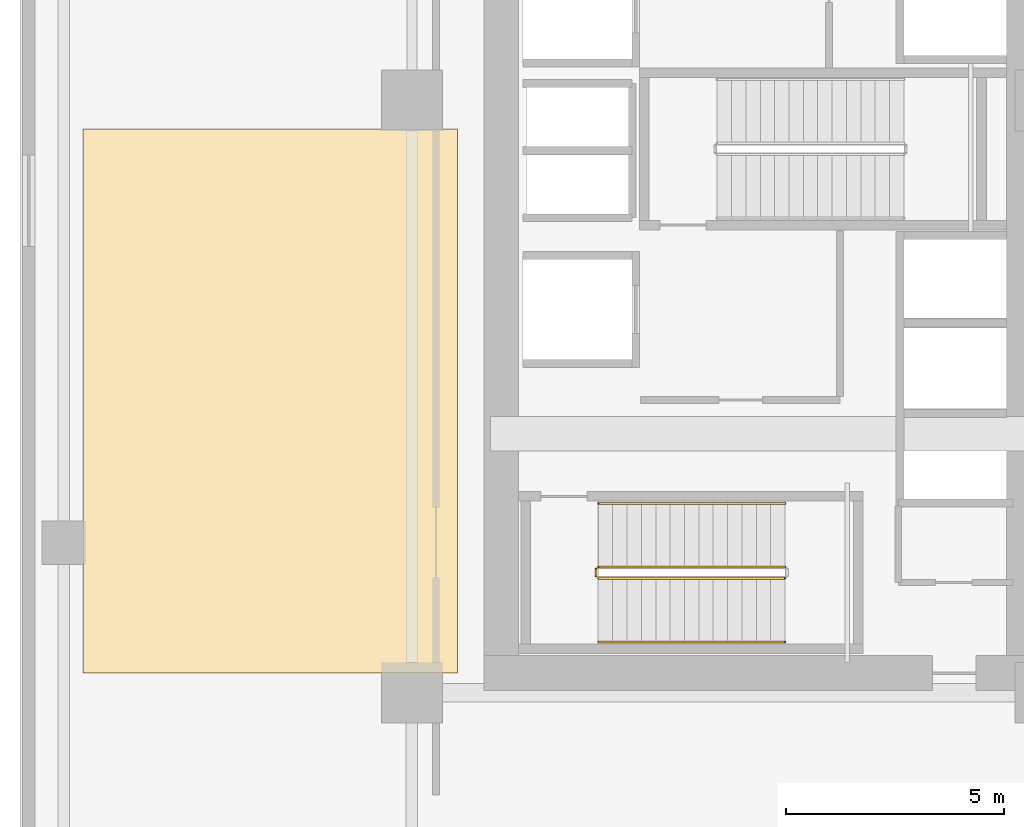
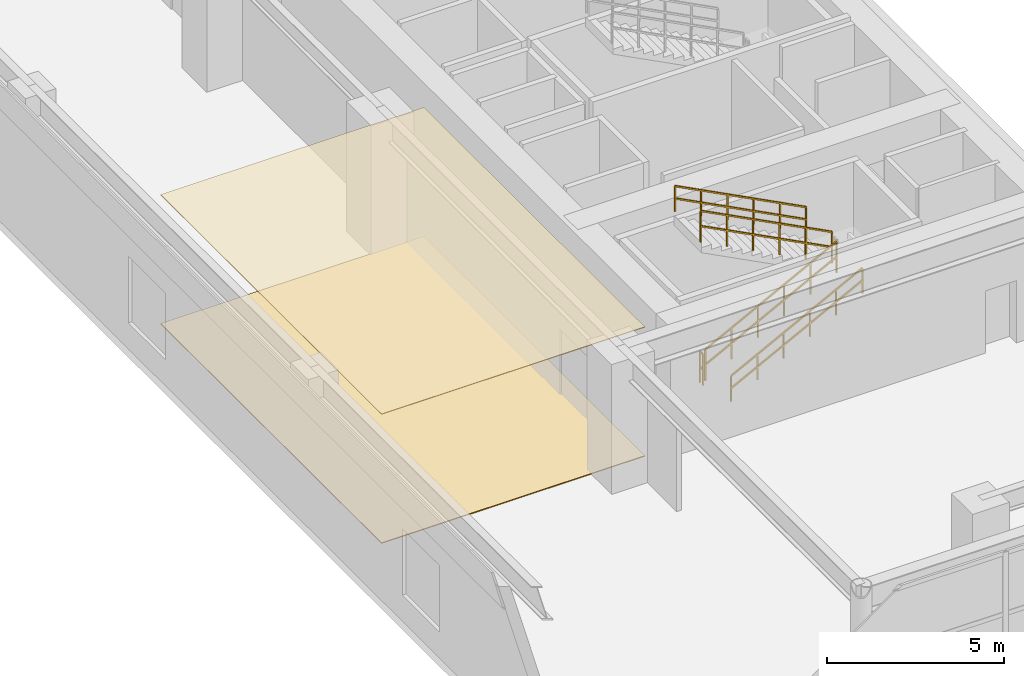
# One storey, part 26 of 30: 5 railings, 2 coverings.
"""IFC4 building model written with IfcOpenShell, lengths in metres."""

from ifc_helpers import new_model, si_unit, direction, frame, origin, origin_2d, place, context, subcontext, project, spatial, polyline, rectangle, outline, extrude, material, layer, layer_set, type_object, element, save


model = new_model("IFC4")

# Units and contexts
model_context = context("Model", 3, precision=1e-05, world=origin(), true_north=direction((0.0, 1.0)))
body_context = subcontext(model_context, "Body", "Model", "MODEL_VIEW")
ifc_project = project(units=[si_unit("LENGTHUNIT", "METRE"), si_unit("AREAUNIT", "SQUARE_METRE"), si_unit("VOLUMEUNIT", "CUBIC_METRE"), si_unit("PLANEANGLEUNIT", "RADIAN"), si_unit("MASSUNIT", "GRAM", prefix="KILO")], contexts=[model_context])

# Site, building, storey
site_placement = place(None, origin())
site = spatial("IfcSite", under=ifc_project, at=site_placement, CompositionType="ELEMENT")
building_placement = place(site_placement, origin())
building = spatial("IfcBuilding", under=site, at=building_placement, Name="Ocotamira Hotel", CompositionType="ELEMENT")
storey_placement = place(building_placement, frame((0.0, 0.0, 19.199951171875)))
storey = spatial("IfcBuildingStorey", under=building, at=storey_placement, Name="L04", CompositionType="ELEMENT", Elevation=19.199951171875)

# Coverings
ifc_material_1 = material(Name="Perforated acoustic gypsum ceiling board", Category="gypsum")
ifc_layer_1 = layer(ifc_material_1, 0.02490234375)
ifc_layer_set_1 = layer_set([ifc_layer_1], Name="Perforated acoustic gypsum ceiling board")
covering_type_1 = type_object("IfcCoveringType", Name="COV-CEIL-25", PredefinedType="CEILING", material=ifc_layer_set_1)
covering_1_placement = place(storey_placement, frame((0.0, 0.0, 4.455078125)))
element("IfcCovering", 1, at=covering_1_placement, inside=storey, type_object=covering_type_1, Name="L04 Acoustic Ceiling", PredefinedType="CEILING", context=body_context, shape_type="SweptSolid", body=[
    extrude(outline(polyline([(1.39990234375, 15.0), (10.0, 15.0), (10.0, 27.5), (1.39990234375, 27.5), (1.39990234375, 15.0)])), origin(), (0.0, 0.0, 1.0), 0.02490234375),
])
ifc_material_2 = material(Name="Honed desert travertine stone flooring", Category="masonry")
ifc_layer_2 = layer(ifc_material_2, 0.030029296875)
ifc_layer_set_2 = layer_set([ifc_layer_2], Name="Honed desert travertine stone flooring")
covering_type_2 = type_object("IfcCoveringType", Name="COV-FLOR-30", PredefinedType="FLOORING", material=ifc_layer_set_2)
covering_2_placement = place(storey_placement, origin())
element("IfcCovering", 2, at=covering_2_placement, inside=storey, type_object=covering_type_2, Name="L04 Honed Stone Floor Finish", PredefinedType="FLOORING", context=body_context, shape_type="SweptSolid", body=[
    extrude(outline(polyline([(1.39990234375, 15.0), (10.0, 15.0), (10.0, 27.5), (1.39990234375, 27.5), (1.39990234375, 15.0)])), origin(), (0.0, 0.0, 1.0), 0.030029296875),
])

# Railings
ifc_material_3 = material(Name="Brushed stainless steel handrail", Category="steel")
railing_type_1 = type_object("IfcRailingType", Name="RL-HAND-900", PredefinedType="HANDRAIL", material=ifc_material_3)
railing_1_placement = place(storey_placement, frame((13.22998046875, 15.719970703125, 0.343017578125)))
element("IfcRailing", 3, at=railing_1_placement, inside=storey, type_object=railing_type_1, Name="L04 ST-1 stair handrail 1", PredefinedType="HANDRAIL", context=body_context, shape_type="SweptSolid", body=[
    extrude(rectangle(XDim=0.048095703125, YDim=0.048095703125, at=origin_2d()), frame((0.0, 0.0, 0.8759765625), z_axis=(0.887411858541, 0.0, 0.46097743255), x_axis=(0.0, 1.0, 0.0)), (0.0, 0.0, 1.0), 4.834228515625),
    extrude(rectangle(XDim=0.048095703125, YDim=0.048095703125, at=origin_2d()), frame((0.0, 0.0, 0.449951171875), z_axis=(0.887411858541, 0.0, 0.46097743255), x_axis=(0.0, 1.0, 0.0)), (0.0, 0.0, 1.0), 4.834228515625),
    extrude(rectangle(XDim=0.0419921875, YDim=0.0419921875, at=origin_2d()), origin(), (0.0, 0.0, 1.0), 0.851806640625),
    extrude(rectangle(XDim=0.0419921875, YDim=0.0419921875, at=origin_2d()), frame((0.85791015625, 0.0, 0.44580078125)), (0.0, 0.0, 1.0), 0.851806640625),
    extrude(rectangle(XDim=0.0419921875, YDim=0.0419921875, at=origin_2d()), frame((1.716064453125, 0.0, 0.891357421875)), (0.0, 0.0, 1.0), 0.851806640625),
    extrude(rectangle(XDim=0.0419921875, YDim=0.0419921875, at=origin_2d()), frame((2.573974609375, 0.0, 1.337158203125)), (0.0, 0.0, 1.0), 0.851806640625),
    extrude(rectangle(XDim=0.0419921875, YDim=0.0419921875, at=origin_2d()), frame((3.43212890625, 0.0, 1.78271484375)), (0.0, 0.0, 1.0), 0.851806640625),
    extrude(rectangle(XDim=0.0419921875, YDim=0.0419921875, at=origin_2d()), frame((4.2900390625, 0.0, 2.228515625)), (0.0, 0.0, 1.0), 0.851806640625),
])
railing_2_placement = place(storey_placement, frame((17.52001953125, 18.89990234375, 2.742919921875)))
element("IfcRailing", 4, at=railing_2_placement, inside=storey, type_object=railing_type_1, Name="L04 ST-1 stair handrail 2", PredefinedType="HANDRAIL", context=body_context, shape_type="SweptSolid", body=[
    extrude(rectangle(XDim=0.048095703125, YDim=0.048095703125, at=origin_2d()), frame((0.0, 0.0, 0.8759765625), z_axis=(-0.887411858541, 0.0, 0.46097743255), x_axis=(0.0, -1.0, 0.0)), (0.0, 0.0, 1.0), 4.834228515625),
    extrude(rectangle(XDim=0.048095703125, YDim=0.048095703125, at=origin_2d()), frame((0.0, 0.0, 0.449951171875), z_axis=(-0.887411858541, 0.0, 0.46097743255), x_axis=(0.0, -1.0, 0.0)), (0.0, 0.0, 1.0), 4.834228515625),
    extrude(rectangle(XDim=0.0419921875, YDim=0.0419921875, at=origin_2d()), origin(), (0.0, 0.0, 1.0), 0.851806640625),
    extrude(rectangle(XDim=0.0419921875, YDim=0.0419921875, at=origin_2d()), frame((-0.85791015625, 0.0, 0.44580078125)), (0.0, 0.0, 1.0), 0.851806640625),
    extrude(rectangle(XDim=0.0419921875, YDim=0.0419921875, at=origin_2d()), frame((-1.716064453125, 0.0, 0.891357421875)), (0.0, 0.0, 1.0), 0.851806640625),
    extrude(rectangle(XDim=0.0419921875, YDim=0.0419921875, at=origin_2d()), frame((-2.573974609375, 0.0, 1.337158203125)), (0.0, 0.0, 1.0), 0.851806640625),
    extrude(rectangle(XDim=0.0419921875, YDim=0.0419921875, at=origin_2d()), frame((-3.43212890625, 0.0, 1.78271484375)), (0.0, 0.0, 1.0), 0.851806640625),
    extrude(rectangle(XDim=0.0419921875, YDim=0.0419921875, at=origin_2d()), frame((-4.2900390625, 0.0, 2.228515625)), (0.0, 0.0, 1.0), 0.851806640625),
])
ifc_material_4 = material(Name="Painted steel stair guardrail", Category="steel")
railing_type_2 = type_object("IfcRailingType", Name="RL-STAIR-1100", PredefinedType="GUARDRAIL", material=ifc_material_4)
railing_3_placement = place(storey_placement, frame((13.22998046875, 17.179931640625, 0.17138671875)))
element("IfcRailing", 5, at=railing_3_placement, inside=storey, type_object=railing_type_2, Name="L04 ST-1 stair guard 1", PredefinedType="GUARDRAIL", context=body_context, shape_type="SweptSolid", body=[
    extrude(rectangle(XDim=0.048095703125, YDim=0.048095703125, at=origin_2d()), frame((0.0, 0.0, 1.076171875), z_axis=(0.887391199149, 0.0, 0.46101720106), x_axis=(0.0, 1.0, 0.0)), (0.0, 0.0, 1.0), 4.83447265625),
    extrude(rectangle(XDim=0.048095703125, YDim=0.048095703125, at=origin_2d()), frame((0.0, 0.0, 0.550048828125), z_axis=(0.887391199149, 0.0, 0.46101720106), x_axis=(0.0, 1.0, 0.0)), (0.0, 0.0, 1.0), 4.83447265625),
    extrude(rectangle(XDim=0.0419921875, YDim=0.0419921875, at=origin_2d()), origin(), (0.0, 0.0, 1.0), 1.052001953125),
    extrude(rectangle(XDim=0.0419921875, YDim=0.0419921875, at=origin_2d()), frame((0.85791015625, 0.0, 0.44580078125)), (0.0, 0.0, 1.0), 1.052001953125),
    extrude(rectangle(XDim=0.0419921875, YDim=0.0419921875, at=origin_2d()), frame((1.716064453125, 0.0, 0.8916015625)), (0.0, 0.0, 1.0), 1.052001953125),
    extrude(rectangle(XDim=0.0419921875, YDim=0.0419921875, at=origin_2d()), frame((2.573974609375, 0.0, 1.337158203125)), (0.0, 0.0, 1.0), 1.052001953125),
    extrude(rectangle(XDim=0.0419921875, YDim=0.0419921875, at=origin_2d()), frame((3.43212890625, 0.0, 1.782958984375)), (0.0, 0.0, 1.0), 1.052001953125),
    extrude(rectangle(XDim=0.0419921875, YDim=0.0419921875, at=origin_2d()), frame((4.2900390625, 0.0, 2.228759765625)), (0.0, 0.0, 1.0), 1.052001953125),
])
railing_4_placement = place(storey_placement, frame((17.52001953125, 17.43994140625, 2.571533203125)))
element("IfcRailing", 6, at=railing_4_placement, inside=storey, type_object=railing_type_2, Name="L04 ST-1 stair guard 3", PredefinedType="GUARDRAIL", context=body_context, shape_type="SweptSolid", body=[
    extrude(rectangle(XDim=0.048095703125, YDim=0.048095703125, at=origin_2d()), frame((0.0, 0.0, 1.076171875), z_axis=(-0.887411858541, 0.0, 0.46097743255), x_axis=(0.0, -1.0, 0.0)), (0.0, 0.0, 1.0), 4.834228515625),
    extrude(rectangle(XDim=0.048095703125, YDim=0.048095703125, at=origin_2d()), frame((0.0, 0.0, 0.550048828125), z_axis=(-0.887411858541, 0.0, 0.46097743255), x_axis=(0.0, -1.0, 0.0)), (0.0, 0.0, 1.0), 4.834228515625),
    extrude(rectangle(XDim=0.0419921875, YDim=0.0419921875, at=origin_2d()), origin(), (0.0, 0.0, 1.0), 1.052001953125),
    extrude(rectangle(XDim=0.0419921875, YDim=0.0419921875, at=origin_2d()), frame((-0.85791015625, 0.0, 0.44580078125)), (0.0, 0.0, 1.0), 1.052001953125),
    extrude(rectangle(XDim=0.0419921875, YDim=0.0419921875, at=origin_2d()), frame((-1.716064453125, 0.0, 0.891357421875)), (0.0, 0.0, 1.0), 1.052001953125),
    extrude(rectangle(XDim=0.0419921875, YDim=0.0419921875, at=origin_2d()), frame((-2.573974609375, 0.0, 1.337158203125)), (0.0, 0.0, 1.0), 1.052001953125),
    extrude(rectangle(XDim=0.0419921875, YDim=0.0419921875, at=origin_2d()), frame((-3.43212890625, 0.0, 1.78271484375)), (0.0, 0.0, 1.0), 1.052001953125),
    extrude(rectangle(XDim=0.0419921875, YDim=0.0419921875, at=origin_2d()), frame((-4.2900390625, 0.0, 2.228515625)), (0.0, 0.0, 1.0), 1.052001953125),
])
railing_5_placement = place(storey_placement, frame((13.179931640625, 17.22998046875, 0.0)))
element("IfcRailing", 7, at=railing_5_placement, inside=storey, type_object=railing_type_2, Name="L04 ST-1 stair guard 4", PredefinedType="GUARDRAIL", context=body_context, shape_type="SweptSolid", body=[
    extrude(rectangle(XDim=0.048095703125, YDim=0.048095703125, at=origin_2d()), frame((0.0, 0.0, 1.076171875), z_axis=(0.0, 1.0, 0.0), x_axis=(-1.0, 0.0, 0.0)), (0.0, 0.0, 1.0), 0.159912109375),
    extrude(rectangle(XDim=0.048095703125, YDim=0.048095703125, at=origin_2d()), frame((0.0, 0.0, 0.550048828125), z_axis=(0.0, 1.0, 0.0), x_axis=(-1.0, 0.0, 0.0)), (0.0, 0.0, 1.0), 0.159912109375),
    extrude(rectangle(XDim=0.0419921875, YDim=0.0419921875, at=origin_2d()), origin(), (0.0, 0.0, 1.0), 1.052001953125),
    extrude(rectangle(XDim=0.0419921875, YDim=0.0419921875, at=origin_2d()), frame((0.0, 0.159912109375, 0.0)), (0.0, 0.0, 1.0), 1.052001953125),
])

save(model, "model.ifc")
